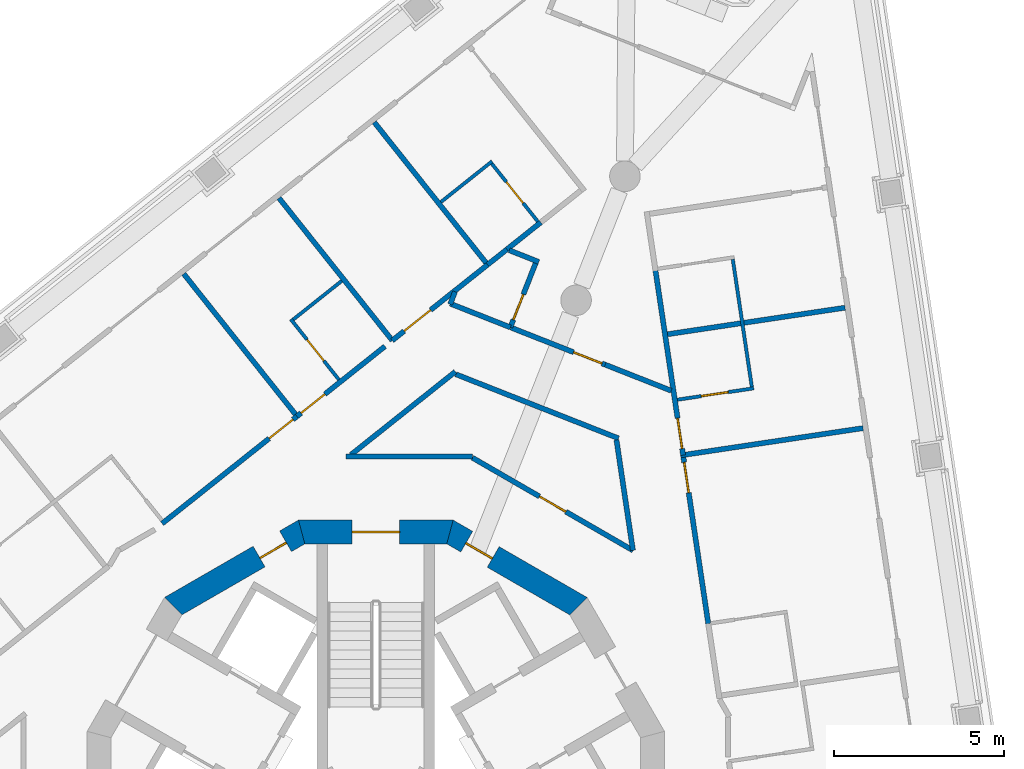
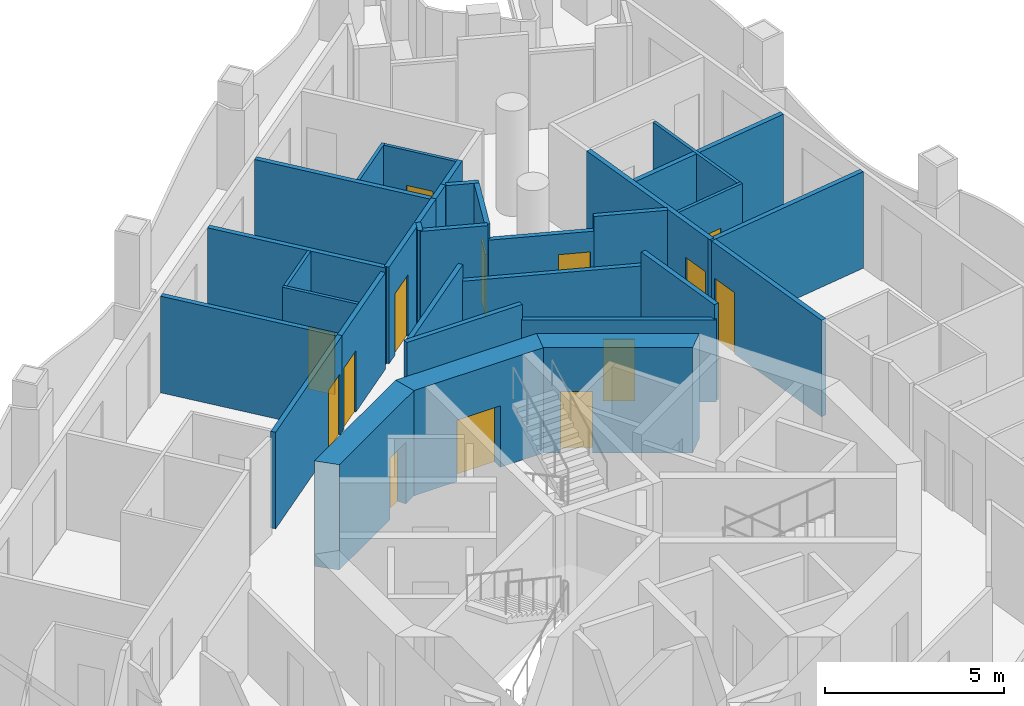
# One storey, part 8 of 16: 32 walls, 14 doors, 14 openings.
"""IFC4 building model written with IfcOpenShell, lengths in metres."""

from ifc_helpers import new_model, si_unit, direction, frame, frame_2d, origin, place, context, subcontext, project, spatial, polyline, rectangle, outline, extrude, material, layer, layer_set, type_object, element, fill, save


model = new_model("IFC4")

# Units and contexts
model_context = context("Model", 3, precision=1e-05, world=origin(), true_north=direction((0.0, 1.0)))
body_context = subcontext(model_context, "Body", "Model", "MODEL_VIEW")
ifc_project = project(units=[si_unit("LENGTHUNIT", "METRE"), si_unit("AREAUNIT", "SQUARE_METRE"), si_unit("VOLUMEUNIT", "CUBIC_METRE"), si_unit("PLANEANGLEUNIT", "RADIAN"), si_unit("MASSUNIT", "GRAM", prefix="KILO")], contexts=[model_context])

# Site, building, storey
site_placement = place(None, origin())
site = spatial("IfcSite", under=ifc_project, at=site_placement, CompositionType="ELEMENT")
building_placement = place(site_placement, origin())
building = spatial("IfcBuilding", under=site, at=building_placement, Name="Trine Commons Tower", CompositionType="ELEMENT")
storey_placement = place(building_placement, frame((0.0, 0.0, 223.199951171875)))
storey = spatial("IfcBuildingStorey", under=building, at=storey_placement, Name="L58", CompositionType="ELEMENT", Elevation=223.199951171875)

# Wall, opening, door
ifc_material_1 = material(Name="Concrete C60/75", Category="concrete")
ifc_layer_1 = layer(ifc_material_1, 0.699951171875)
ifc_layer_set_1 = layer_set([ifc_layer_1], Name="Concrete C60/75")
wall_type_1 = type_object("IfcWallType", Name="RC shear wall 700 mm, C60/75", PredefinedType="SHEAR", material=ifc_layer_set_1)
wall_1_placement = place(storey_placement, frame((86.047607421875, 68.41943359375, 0.0), z_axis=(0.0, 0.0, 1.0), x_axis=(-0.866034756103, 0.499983800959, 0.0)))
wall_1 = element("IfcWall", 1, at=wall_1_placement, inside=storey, type_object=wall_type_1, Name="Core wall CWF-03 L58", PredefinedType="SHEAR", context=body_context, shape_type="SweptSolid", body=[
    extrude(outline(polyline([(0.0, -0.35009765625), (4.55517578125, -0.35009765625), (4.36767578125, 0.35009765625), (0.1875, 0.35009765625), (0.0, -0.35009765625)])), origin(), (0.0, 0.0, 1.0), 3.60009765625),
])
opening_1_placement = place(wall_1_placement, frame((2.990966796875, 0.0, 0.0)))
opening_1 = element("IfcOpeningElement", 2, at=opening_1_placement, cuts=wall_1, Name="Opening K16.12", PredefinedType="OPENING", context=body_context, shape_type="SweptSolid", body=[
    extrude(rectangle(XDim=0.89990234375, YDim=2.10009765625, at=frame_2d((0.449951171875, 1.050048828125))), frame((0.0, 0.35986328125, 0.0), z_axis=(0.0, -1.0, 0.0), x_axis=(1.0, 0.0, 0.0)), (0.0, 0.0, 1.0), 0.719970703125),
])
ifc_material_2 = material(Name="Steel door leaf, fire-rated", Category="steel")
door_type_1 = type_object("IfcDoorType", Name="Core room door, single leaf 900 x 2100, FD30S", OperationType="SINGLE_SWING_LEFT", PredefinedType="DOOR", material=ifc_material_2)
door_1_placement = place(opening_1_placement, origin())
door_1 = element("IfcDoor", 3, at=door_1_placement, inside=storey, type_object=door_type_1, Name="Door to Core WC L58", OperationType="SINGLE_SWING_RIGHT", OverallHeight=2.10009765625, OverallWidth=0.89990234375, PredefinedType="DOOR", context=body_context, shape_type="SweptSolid", body=[
    extrude(rectangle(XDim=0.89990234375, YDim=2.10009765625, at=frame_2d((0.449951171875, 1.050048828125))), frame((0.0, 0.0751953125, 0.0), z_axis=(0.0, -1.0, 0.0), x_axis=(1.0, 0.0, 0.0)), (0.0, 0.0, 1.0), 0.050048828125),
])
fill(opening_1, door_1)

wall_2_placement = place(storey_placement, frame((82.277587890625, 70.650146484375, 0.0), z_axis=(0.0, 0.0, 1.0), x_axis=(-1.0, 0.0, 0.0)))
wall_2 = element("IfcWall", 4, at=wall_2_placement, inside=storey, type_object=wall_type_1, Name="Core wall CWF-04 L58", PredefinedType="SHEAR", context=body_context, shape_type="SweptSolid", body=[
    extrude(outline(polyline([(0.0, -0.35009765625), (4.55517578125, -0.35009765625), (4.36767578125, 0.35009765625), (0.1875, 0.35009765625), (0.0, -0.35009765625)])), origin(), (0.0, 0.0, 1.0), 3.60009765625),
])
opening_2_placement = place(wall_2_placement, frame((1.57763671875, 0.0, 0.0)))
opening_2 = element("IfcOpeningElement", 5, at=opening_2_placement, cuts=wall_2, Name="Opening K16.01", PredefinedType="OPENING", context=body_context, shape_type="SweptSolid", body=[
    extrude(rectangle(XDim=1.39990234375, YDim=2.10009765625, at=frame_2d((0.699951171875, 1.050048828125))), frame((0.0, 0.35986328125, 0.0), z_axis=(0.0, -1.0, 0.0), x_axis=(1.0, 0.0, 0.0)), (0.0, 0.0, 1.0), 0.719970703125),
])
ifc_material_3 = material(Name="Steel door leaves, fire-rated", Category="steel")
door_type_2 = type_object("IfcDoorType", Name="Stair door, double leaf 1400 x 2100, FD90", OperationType="DOUBLE_DOOR_SINGLE_SWING", PredefinedType="DOOR", material=ifc_material_3)
door_2_placement = place(opening_2_placement, origin())
door_2 = element("IfcDoor", 6, at=door_2_placement, inside=storey, type_object=door_type_2, Name="Stair door to Exit stair ST1C L58", OperationType="DOUBLE_DOOR_SINGLE_SWING", OverallHeight=2.10009765625, OverallWidth=1.39990234375, PredefinedType="DOOR", context=body_context, shape_type="SweptSolid", body=[
    extrude(rectangle(XDim=1.39990234375, YDim=2.10009765625, at=frame_2d((0.699951171875, 1.050048828125))), frame((0.0, 0.02490234375, 0.0), z_axis=(0.0, -1.0, 0.0), x_axis=(1.0, 0.0, 0.0)), (0.0, 0.0, 1.0), 0.050048828125),
])
fill(opening_2, door_2)

wall_3_placement = place(storey_placement, frame((77.8974609375, 70.697021484375, 0.0), z_axis=(0.0, 0.0, 1.0), x_axis=(-0.866034756103, -0.499983800959, 0.0)))
wall_3 = element("IfcWall", 7, at=wall_3_placement, inside=storey, type_object=wall_type_1, Name="Core wall CWF-05 L58", PredefinedType="SHEAR", context=body_context, shape_type="SweptSolid", body=[
    extrude(outline(polyline([(0.0, -0.35009765625), (4.55517578125, -0.35009765625), (4.36767578125, 0.35009765625), (0.1875, 0.35009765625), (0.0, -0.35009765625)])), origin(), (0.0, 0.0, 1.0), 3.60009765625),
])
opening_3_placement = place(wall_3_placement, frame((0.641845703125, 0.0, 0.0)))
opening_3 = element("IfcOpeningElement", 8, at=opening_3_placement, cuts=wall_3, Name="Opening K16.13", PredefinedType="OPENING", context=body_context, shape_type="SweptSolid", body=[
    extrude(rectangle(XDim=0.89990234375, YDim=2.10009765625, at=frame_2d((0.449951171875, 1.050048828125))), frame((0.0, 0.35986328125, 0.0), z_axis=(0.0, -1.0, 0.0), x_axis=(1.0, 0.0, 0.0)), (0.0, 0.0, 1.0), 0.719970703125),
])
door_3_placement = place(opening_3_placement, origin())
door_3 = element("IfcDoor", 9, at=door_3_placement, inside=storey, type_object=door_type_1, Name="Door to Accessible WC L58", OperationType="SINGLE_SWING_LEFT", OverallHeight=2.10009765625, OverallWidth=0.89990234375, PredefinedType="DOOR", context=body_context, shape_type="SweptSolid", body=[
    extrude(rectangle(XDim=0.89990234375, YDim=2.10009765625, at=frame_2d((0.449951171875, 1.050048828125))), frame((0.0, 0.0751953125, 0.0), z_axis=(0.0, -1.0, 0.0), x_axis=(1.0, 0.0, 0.0)), (0.0, 0.0, 1.0), 0.050048828125),
])
fill(opening_3, door_3)

ifc_material_4 = material(Name="Gypsum plasterboard on steel stud", Category="steel")
ifc_layer_2 = layer(ifc_material_4, 0.14990234375)
ifc_layer_set_2 = layer_set([ifc_layer_2], Name="Gypsum plasterboard on steel stud")
wall_type_2 = type_object("IfcWallType", Name="Unit and corridor wall 150 mm, EI 60", PredefinedType="PARTITIONING", material=ifc_layer_set_2)
wall_4_placement = place(storey_placement, frame((73.706787109375, 70.89892578125, 0.0), z_axis=(0.0, 0.0, 1.0), x_axis=(0.782685143932, 0.622417838327, 0.0)))
wall_4 = element("IfcWall", 10, at=wall_4_placement, inside=storey, type_object=wall_type_2, Name="Partition 036", PredefinedType="PARTITIONING", context=body_context, shape_type="SweptSolid", body=[
    extrude(rectangle(XDim=5.078857421875, YDim=0.14990234375, at=frame_2d((2.53955078125, 0.0))), origin(), (0.0, 0.0, 1.0), 3.300048828125),
])
opening_4_placement = place(wall_4_placement, frame((4.025146484375, 0.0, 0.0)))
opening_4 = element("IfcOpeningElement", 11, at=opening_4_placement, cuts=wall_4, Name="Opening D-6C08", PredefinedType="OPENING", context=body_context, shape_type="SweptSolid", body=[
    extrude(rectangle(XDim=0.89990234375, YDim=2.10009765625, at=frame_2d((0.449951171875, 1.050048828125))), frame((0.0, 0.0849609375, 0.0), z_axis=(0.0, -1.0, 0.0), x_axis=(1.0, 0.0, 0.0)), (0.0, 0.0, 1.0), 0.169921875),
])
ifc_material_5 = material(Name="Timber fire door set", Category="wood")
door_type_3 = type_object("IfcDoorType", Name="Bedroom door 900 x 2100, FD30S", OperationType="NOTDEFINED", PredefinedType="DOOR", material=ifc_material_5)
door_4_placement = place(opening_4_placement, origin())
door_4 = element("IfcDoor", 12, at=door_4_placement, inside=storey, type_object=door_type_3, Name="Door D-6C08", OperationType="SINGLE_SWING_RIGHT", OverallHeight=2.10009765625, OverallWidth=0.89990234375, PredefinedType="DOOR", context=body_context, shape_type="SweptSolid", body=[
    extrude(rectangle(XDim=0.89990234375, YDim=2.10009765625, at=frame_2d((0.449951171875, 1.050048828125))), frame((0.0, 0.02490234375, 0.0), z_axis=(0.0, -1.0, 0.0), x_axis=(1.0, 0.0, 0.0)), (0.0, 0.0, 1.0), 0.050048828125),
])
fill(opening_4, door_4)

# Walls
wall_5_placement = place(storey_placement, frame((74.343017578125, 78.252685546875, 0.0), z_axis=(0.0, 0.0, 1.0), x_axis=(0.622444463897, -0.782663969634, 0.0)))
element("IfcWall", 13, at=wall_5_placement, inside=storey, type_object=wall_type_2, Name="Partition 037", PredefinedType="PARTITIONING", context=body_context, shape_type="SweptSolid", body=[
    extrude(rectangle(XDim=5.284423828125, YDim=0.14990234375, at=frame_2d((2.64208984375, 0.0))), origin(), (0.0, 0.0, 1.0), 3.300048828125),
])
wall_6_placement = place(storey_placement, frame((77.14892578125, 80.485595703125, 0.0), z_axis=(0.0, 0.0, 1.0), x_axis=(0.622587598128, -0.782550115109, 0.0)))
element("IfcWall", 14, at=wall_6_placement, inside=storey, type_object=wall_type_2, Name="Partition 044", PredefinedType="PARTITIONING", context=body_context, shape_type="SweptSolid", body=[
    extrude(rectangle(XDim=5.360107421875, YDim=0.14990234375, at=frame_2d((2.68017578125, 0.0))), origin(), (0.0, 0.0, 1.0), 3.300048828125),
])

# Wall, opening, door
wall_7_placement = place(storey_placement, frame((77.676025390625, 74.055908203125, 0.0), z_axis=(0.0, 0.0, 1.0), x_axis=(0.782691617443, 0.622409697855, 0.0)))
wall_7 = element("IfcWall", 15, at=wall_7_placement, inside=storey, type_object=wall_type_2, Name="Partition 048", PredefinedType="PARTITIONING", context=body_context, shape_type="SweptSolid", body=[
    extrude(rectangle(XDim=3.31298828125, YDim=0.14990234375, at=frame_2d((1.656494140625, 0.0))), origin(), (0.0, 0.0, 1.0), 3.300048828125),
])
opening_5_placement = place(wall_7_placement, frame((0.153564453125, 0.0, 0.0)))
opening_5 = element("IfcOpeningElement", 16, at=opening_5_placement, cuts=wall_7, Name="Opening D-6C09", PredefinedType="OPENING", context=body_context, shape_type="SweptSolid", body=[
    extrude(rectangle(XDim=0.89990234375, YDim=2.10009765625, at=frame_2d((0.449951171875, 1.050048828125))), frame((0.0, 0.0849609375, 0.0), z_axis=(0.0, -1.0, 0.0), x_axis=(1.0, 0.0, 0.0)), (0.0, 0.0, 1.0), 0.169921875),
])
door_5_placement = place(opening_5_placement, origin())
door_5 = element("IfcDoor", 17, at=door_5_placement, inside=storey, type_object=door_type_3, Name="Door D-6C09", OperationType="SINGLE_SWING_LEFT", OverallHeight=2.10009765625, OverallWidth=0.89990234375, PredefinedType="DOOR", context=body_context, shape_type="SweptSolid", body=[
    extrude(rectangle(XDim=0.89990234375, YDim=2.10009765625, at=frame_2d((0.449951171875, 1.050048828125))), frame((0.0, 0.02490234375, 0.0), z_axis=(0.0, -1.0, 0.0), x_axis=(1.0, 0.0, 0.0)), (0.0, 0.0, 1.0), 0.050048828125),
])
fill(opening_5, door_5)

# Walls
wall_8_placement = place(storey_placement, frame((79.125, 72.875, 0.0), z_axis=(0.0, 0.0, 1.0), x_axis=(1.0, 0.0, 0.0)))
element("IfcWall", 18, at=wall_8_placement, inside=storey, type_object=wall_type_2, Name="Partition 050", PredefinedType="PARTITIONING", context=body_context, shape_type="SweptSolid", body=[
    extrude(rectangle(XDim=3.72998046875, YDim=0.14990234375, at=frame_2d((1.864990234375, 0.0))), origin(), (0.0, 0.0, 1.0), 3.300048828125),
])
wall_9_placement = place(storey_placement, frame((79.2626953125, 72.921630859375, 0.0), z_axis=(0.0, 0.0, 1.0), x_axis=(0.782518607784, 0.622627198629, 0.0)))
element("IfcWall", 19, at=wall_9_placement, inside=storey, type_object=wall_type_2, Name="Partition 051", PredefinedType="PARTITIONING", context=body_context, shape_type="SweptSolid", body=[
    extrude(rectangle(XDim=3.934814453125, YDim=0.14990234375, at=frame_2d((1.96728515625, 0.0))), origin(), (0.0, 0.0, 1.0), 3.300048828125),
])
wall_10_placement = place(storey_placement, frame((79.954833984375, 82.7177734375, 0.0), z_axis=(0.0, 0.0, 1.0), x_axis=(0.622585933561, -0.782551439416, 0.0)))
element("IfcWall", 20, at=wall_10_placement, inside=storey, type_object=wall_type_2, Name="Partition 053", PredefinedType="PARTITIONING", context=body_context, shape_type="SweptSolid", body=[
    extrude(rectangle(XDim=5.28515625, YDim=0.14990234375, at=frame_2d((2.642578125, 0.0))), origin(), (0.0, 0.0, 1.0), 3.300048828125),
])

# Wall, opening, door
wall_11_placement = place(storey_placement, frame((80.48291015625, 76.2890625, 0.0), z_axis=(0.0, 0.0, 1.0), x_axis=(0.782683898342, 0.622419404643, 0.0)))
wall_11 = element("IfcWall", 21, at=wall_11_placement, inside=storey, type_object=wall_type_2, Name="Partition 054", PredefinedType="PARTITIONING", context=body_context, shape_type="SweptSolid", body=[
    extrude(rectangle(XDim=3.589111328125, YDim=0.14990234375, at=frame_2d((1.79443359375, 0.0))), origin(), (0.0, 0.0, 1.0), 3.300048828125),
])
opening_6_placement = place(wall_11_placement, frame((0.447265625, 0.0, 0.0)))
opening_6 = element("IfcOpeningElement", 22, at=opening_6_placement, cuts=wall_11, Name="Opening D-6C10", PredefinedType="OPENING", context=body_context, shape_type="SweptSolid", body=[
    extrude(rectangle(XDim=1.0, YDim=2.10009765625, at=frame_2d((0.5, 1.050048828125))), frame((0.0, 0.0849609375, 0.0), z_axis=(0.0, -1.0, 0.0), x_axis=(1.0, 0.0, 0.0)), (0.0, 0.0, 1.0), 0.169921875),
])
ifc_material_6 = material(Name="Painted timber", Category="wood")
door_type_4 = type_object("IfcDoorType", Name="Amenity room door 1000 x 2100, NOT RATED", OperationType="NOTDEFINED", PredefinedType="DOOR", material=ifc_material_6)
door_6_placement = place(opening_6_placement, origin())
door_6 = element("IfcDoor", 23, at=door_6_placement, inside=storey, type_object=door_type_4, Name="Door D-6C10", OperationType="SINGLE_SWING_LEFT", OverallHeight=2.10009765625, OverallWidth=1.0, PredefinedType="DOOR", context=body_context, shape_type="SweptSolid", body=[
    extrude(rectangle(XDim=1.0, YDim=2.10009765625, at=frame_2d((0.5, 1.050048828125))), frame((0.0, 0.02490234375, 0.0), z_axis=(0.0, -1.0, 0.0), x_axis=(1.0, 0.0, 0.0)), (0.0, 0.0, 1.0), 0.050048828125),
])
fill(opening_6, door_6)

# Walls
wall_12_placement = place(storey_placement, frame((82.19189453125, 77.3759765625, 0.0), z_axis=(0.0, 0.0, 1.0), x_axis=(0.93022308185, -0.366994574882, 0.0)))
element("IfcWall", 24, at=wall_12_placement, inside=storey, type_object=wall_type_2, Name="Partition 057", PredefinedType="PARTITIONING", context=body_context, shape_type="SweptSolid", body=[
    extrude(rectangle(XDim=1.9072265625, YDim=0.14990234375, at=frame_2d((0.95361328125, 0.0))), origin(), (0.0, 0.0, 1.0), 3.300048828125),
])
wall_13_placement = place(storey_placement, frame((82.188232421875, 77.3544921875, 0.0), z_axis=(0.0, 0.0, 1.0), x_axis=(0.365066779339, 0.930981335271, 0.0)))
element("IfcWall", 25, at=wall_13_placement, inside=storey, type_object=wall_type_2, Name="Partition 058", PredefinedType="PARTITIONING", context=body_context, shape_type="SweptSolid", body=[
    extrude(rectangle(XDim=0.39990234375, YDim=0.14990234375, at=frame_2d((0.199951171875, 0.0))), origin(), (0.0, 0.0, 1.0), 3.300048828125),
])
wall_14_placement = place(storey_placement, frame((82.352783203125, 75.297607421875, 0.0), z_axis=(0.0, 0.0, 1.0), x_axis=(0.930366278921, -0.366631404883, 0.0)))
element("IfcWall", 26, at=wall_14_placement, inside=storey, type_object=wall_type_2, Name="Partition 059", PredefinedType="PARTITIONING", context=body_context, shape_type="SweptSolid", body=[
    extrude(rectangle(XDim=5.15283203125, YDim=0.14990234375, at=frame_2d((2.576416015625, 0.0))), origin(), (0.0, 0.0, 1.0), 2.800048828125),
])

# Wall, opening, door
wall_15_placement = place(storey_placement, frame((82.844970703125, 72.83740234375, 0.0), z_axis=(0.0, 0.0, 1.0), x_axis=(0.865990633405, -0.500060219228, 0.0)))
wall_15 = element("IfcWall", 27, at=wall_15_placement, inside=storey, type_object=wall_type_2, Name="Partition 062", PredefinedType="PARTITIONING", context=body_context, shape_type="SweptSolid", body=[
    extrude(rectangle(XDim=5.464111328125, YDim=0.14990234375, at=frame_2d((2.73193359375, 0.0))), origin(), (0.0, 0.0, 1.0), 2.800048828125),
])
opening_7_placement = place(wall_15_placement, frame((2.280517578125, 0.0, 0.0)))
opening_7 = element("IfcOpeningElement", 28, at=opening_7_placement, cuts=wall_15, Name="Opening D-6C27", PredefinedType="OPENING", context=body_context, shape_type="SweptSolid", body=[
    extrude(rectangle(XDim=0.89990234375, YDim=2.10009765625, at=frame_2d((0.449951171875, 1.050048828125))), frame((0.0, 0.0849609375, 0.0), z_axis=(0.0, -1.0, 0.0), x_axis=(1.0, 0.0, 0.0)), (0.0, 0.0, 1.0), 0.169921875),
])
door_type_5 = type_object("IfcDoorType", Name="Service door 900 x 2100, FD30S", OperationType="NOTDEFINED", PredefinedType="DOOR", material=ifc_material_5)
door_7_placement = place(opening_7_placement, origin())
door_7 = element("IfcDoor", 29, at=door_7_placement, inside=storey, type_object=door_type_5, Name="Door D-6C27", OperationType="SINGLE_SWING_LEFT", OverallHeight=2.10009765625, OverallWidth=0.89990234375, PredefinedType="DOOR", context=body_context, shape_type="SweptSolid", body=[
    extrude(rectangle(XDim=0.89990234375, YDim=2.10009765625, at=frame_2d((0.449951171875, 1.050048828125))), frame((0.0, 0.02490234375, 0.0), z_axis=(0.0, -1.0, 0.0), x_axis=(1.0, 0.0, 0.0)), (0.0, 0.0, 1.0), 0.050048828125),
])
fill(opening_7, door_7)

# Walls
wall_16_placement = place(storey_placement, frame((83.2919921875, 78.52294921875, 0.0), z_axis=(0.0, 0.0, 1.0), x_axis=(0.782961678727, 0.622069939512, 0.0)))
element("IfcWall", 30, at=wall_16_placement, inside=storey, type_object=wall_type_2, Name="Partition 065", PredefinedType="PARTITIONING", context=body_context, shape_type="SweptSolid", body=[
    extrude(rectangle(XDim=0.726806640625, YDim=0.14990234375, at=frame_2d((0.36328125, 0.0))), origin(), (0.0, 0.0, 1.0), 3.300048828125),
])
wall_17_placement = place(storey_placement, frame((83.930908203125, 78.947509765625, 0.0), z_axis=(0.0, 0.0, 1.0), x_axis=(0.930564496223, -0.366128008175, 0.0)))
element("IfcWall", 31, at=wall_17_placement, inside=storey, type_object=wall_type_2, Name="Partition 067", PredefinedType="PARTITIONING", context=body_context, shape_type="SweptSolid", body=[
    extrude(rectangle(XDim=0.936767578125, YDim=0.14990234375, at=frame_2d((0.46826171875, 0.0))), origin(), (0.0, 0.0, 1.0), 3.300048828125),
])
wall_18_placement = place(storey_placement, frame((83.861083984375, 78.97509765625, 0.0), z_axis=(0.0, 0.0, 1.0), x_axis=(0.782507881156, 0.622640679629, 0.0)))
element("IfcWall", 32, at=wall_18_placement, inside=storey, type_object=wall_type_2, Name="Partition 068", PredefinedType="PARTITIONING", context=body_context, shape_type="SweptSolid", body=[
    extrude(rectangle(XDim=1.276611328125, YDim=0.14990234375, at=frame_2d((0.63818359375, 0.0))), origin(), (0.0, 0.0, 1.0), 3.300048828125),
])

# Wall, opening, door
wall_19_placement = place(storey_placement, frame((83.962890625, 76.677978515625, 0.0), z_axis=(0.0, 0.0, 1.0), x_axis=(0.366688940458, 0.9303436037, 0.0)))
wall_19 = element("IfcWall", 33, at=wall_19_placement, inside=storey, type_object=wall_type_2, Name="Partition 069", PredefinedType="PARTITIONING", context=body_context, shape_type="SweptSolid", body=[
    extrude(rectangle(XDim=2.025390625, YDim=0.14990234375, at=frame_2d((1.0126953125, 0.0))), origin(), (0.0, 0.0, 1.0), 3.300048828125),
])
opening_8_placement = place(wall_19_placement, frame((0.24267578125, 0.0, 0.0)))
opening_8 = element("IfcOpeningElement", 34, at=opening_8_placement, cuts=wall_19, Name="Opening D-6C04", PredefinedType="OPENING", context=body_context, shape_type="SweptSolid", body=[
    extrude(rectangle(XDim=0.800048828125, YDim=2.10009765625, at=frame_2d((0.39990234375, 1.050048828125))), frame((0.0, 0.0849609375, 0.0), z_axis=(0.0, -1.0, 0.0), x_axis=(1.0, 0.0, 0.0)), (0.0, 0.0, 1.0), 0.169921875),
])
door_type_6 = type_object("IfcDoorType", Name="Toilet door 800 x 2100, NOT RATED", OperationType="NOTDEFINED", PredefinedType="DOOR", material=ifc_material_6)
door_8_placement = place(opening_8_placement, origin())
door_8 = element("IfcDoor", 35, at=door_8_placement, inside=storey, type_object=door_type_6, Name="Door D-6C04", OperationType="SINGLE_SWING_LEFT", OverallHeight=2.10009765625, OverallWidth=0.800048828125, PredefinedType="DOOR", context=body_context, shape_type="SweptSolid", body=[
    extrude(rectangle(XDim=0.800048828125, YDim=2.10009765625, at=frame_2d((0.39990234375, 1.050048828125))), frame((0.0, 0.02490234375, 0.0), z_axis=(0.0, -1.0, 0.0), x_axis=(1.0, 0.0, 0.0)), (0.0, 0.0, 1.0), 0.050048828125),
])
fill(opening_8, door_8)

wall_20_placement = place(storey_placement, frame((83.97705078125, 76.672119140625, 0.0), z_axis=(0.0, 0.0, 1.0), x_axis=(0.930513911047, -0.36625655127, 0.0)))
wall_20 = element("IfcWall", 36, at=wall_20_placement, inside=storey, type_object=wall_type_2, Name="Partition 070", PredefinedType="PARTITIONING", context=body_context, shape_type="SweptSolid", body=[
    extrude(rectangle(XDim=2.987548828125, YDim=0.14990234375, at=frame_2d((1.49365234375, 0.0))), origin(), (0.0, 0.0, 1.0), 2.800048828125),
])
opening_9_placement = place(wall_20_placement, frame((1.987548828125, 0.0, 0.0)))
opening_9 = element("IfcOpeningElement", 37, at=opening_9_placement, cuts=wall_20, Name="Opening D-6C01", PredefinedType="OPENING", context=body_context, shape_type="SweptSolid", body=[
    extrude(rectangle(XDim=0.89990234375, YDim=2.10009765625, at=frame_2d((0.449951171875, 1.050048828125))), frame((0.0, 0.0849609375, 0.0), z_axis=(0.0, -1.0, 0.0), x_axis=(1.0, 0.0, 0.0)), (0.0, 0.0, 1.0), 0.169921875),
])
door_type_7 = type_object("IfcDoorType", Name="Cluster entrance door 900 x 2100, FD30S", OperationType="NOTDEFINED", PredefinedType="DOOR", material=ifc_material_5)
door_9_placement = place(opening_9_placement, origin())
door_9 = element("IfcDoor", 38, at=door_9_placement, inside=storey, type_object=door_type_7, Name="Door D-6C01", OperationType="SINGLE_SWING_RIGHT", OverallHeight=2.10009765625, OverallWidth=0.89990234375, PredefinedType="DOOR", context=body_context, shape_type="SweptSolid", body=[
    extrude(rectangle(XDim=0.89990234375, YDim=2.10009765625, at=frame_2d((0.449951171875, 1.050048828125))), frame((0.0, 0.02490234375, 0.0), z_axis=(0.0, -1.0, 0.0), x_axis=(1.0, 0.0, 0.0)), (0.0, 0.0, 1.0), 0.050048828125),
])
fill(opening_9, door_9)

# Walls
wall_21_placement = place(storey_placement, frame((86.757080078125, 75.577880859375, 0.0), z_axis=(0.0, 0.0, 1.0), x_axis=(0.930326271928, -0.366732910659, 0.0)))
element("IfcWall", 39, at=wall_21_placement, inside=storey, type_object=wall_type_2, Name="Partition 079", PredefinedType="PARTITIONING", context=body_context, shape_type="SweptSolid", body=[
    extrude(rectangle(XDim=2.089599609375, YDim=0.14990234375, at=frame_2d((1.044921875, 0.0))), origin(), (0.0, 0.0, 1.0), 3.300048828125),
])
wall_22_placement = place(storey_placement, frame((87.088134765625, 73.36181640625, 0.0), z_axis=(0.0, 0.0, 1.0), x_axis=(0.147629393442, -0.989042750437, 0.0)))
element("IfcWall", 40, at=wall_22_placement, inside=storey, type_object=wall_type_2, Name="Partition 081", PredefinedType="PARTITIONING", context=body_context, shape_type="SweptSolid", body=[
    extrude(rectangle(XDim=3.291015625, YDim=0.14990234375, at=frame_2d((1.6455078125, 0.0))), origin(), (0.0, 0.0, 1.0), 3.300048828125),
])

# Wall, opening, door
wall_23_placement = place(storey_placement, frame((88.23095703125, 78.39599609375, 0.0), z_axis=(0.0, 0.0, 1.0), x_axis=(0.147922673627, -0.988998929538, 0.0)))
wall_23 = element("IfcWall", 41, at=wall_23_placement, inside=storey, type_object=wall_type_2, Name="Partition 085", PredefinedType="PARTITIONING", context=body_context, shape_type="SweptSolid", body=[
    extrude(rectangle(XDim=5.5439453125, YDim=0.14990234375, at=frame_2d((2.77197265625, 0.0))), origin(), (0.0, 0.0, 1.0), 3.300048828125),
])
opening_10_placement = place(wall_23_placement, frame((4.4462890625, 0.0, 0.0)))
opening_10 = element("IfcOpeningElement", 42, at=opening_10_placement, cuts=wall_23, Name="Opening D-6C13", PredefinedType="OPENING", context=body_context, shape_type="SweptSolid", body=[
    extrude(rectangle(XDim=0.89990234375, YDim=2.10009765625, at=frame_2d((0.449951171875, 1.050048828125))), frame((0.0, 0.0849609375, 0.0), z_axis=(0.0, -1.0, 0.0), x_axis=(1.0, 0.0, 0.0)), (0.0, 0.0, 1.0), 0.169921875),
])
door_10_placement = place(opening_10_placement, origin())
door_10 = element("IfcDoor", 43, at=door_10_placement, inside=storey, type_object=door_type_3, Name="Door D-6C13", OperationType="SINGLE_SWING_RIGHT", OverallHeight=2.10009765625, OverallWidth=0.89990234375, PredefinedType="DOOR", context=body_context, shape_type="SweptSolid", body=[
    extrude(rectangle(XDim=0.89990234375, YDim=2.10009765625, at=frame_2d((0.449951171875, 1.050048828125))), frame((0.0, 0.02490234375, 0.0), z_axis=(0.0, -1.0, 0.0), x_axis=(1.0, 0.0, 0.0)), (0.0, 0.0, 1.0), 0.050048828125),
])
fill(opening_10, door_10)

# Walls
wall_24_placement = place(storey_placement, frame((88.59423828125, 76.47509765625, 0.0), z_axis=(0.0, 0.0, 1.0), x_axis=(0.989020900083, 0.147775705715, 0.0)))
element("IfcWall", 44, at=wall_24_placement, inside=storey, type_object=wall_type_2, Name="Partition 087", PredefinedType="PARTITIONING", context=body_context, shape_type="SweptSolid", body=[
    extrude(rectangle(XDim=5.28515625, YDim=0.14990234375, at=frame_2d((2.642578125, 0.0))), origin(), (0.0, 0.0, 1.0), 3.300048828125),
])
wall_25_placement = place(storey_placement, frame((88.975830078125, 72.906005859375, 0.0), z_axis=(0.0, 0.0, 1.0), x_axis=(0.989026447028, 0.147738576813, 0.0)))
element("IfcWall", 45, at=wall_25_placement, inside=storey, type_object=wall_type_2, Name="Partition 090", PredefinedType="PARTITIONING", context=body_context, shape_type="SweptSolid", body=[
    extrude(rectangle(XDim=5.43505859375, YDim=0.14990234375, at=frame_2d((2.717529296875, 0.0))), origin(), (0.0, 0.0, 1.0), 3.300048828125),
])

# Wall, opening, door
wall_26_placement = place(storey_placement, frame((89.06103515625, 72.8466796875, 0.0), z_axis=(0.0, 0.0, 1.0), x_axis=(0.147716396188, -0.989029760067, 0.0)))
wall_26 = element("IfcWall", 46, at=wall_26_placement, inside=storey, type_object=wall_type_2, Name="Partition 091", PredefinedType="PARTITIONING", context=body_context, shape_type="SweptSolid", body=[
    extrude(rectangle(XDim=4.955078125, YDim=0.14990234375, at=frame_2d((2.4775390625, 0.0))), origin(), (0.0, 0.0, 1.0), 3.300048828125),
])
opening_11_placement = place(wall_26_placement, frame((0.14990234375, 0.0, 0.0)))
opening_11 = element("IfcOpeningElement", 47, at=opening_11_placement, cuts=wall_26, Name="Opening D-6C14", PredefinedType="OPENING", context=body_context, shape_type="SweptSolid", body=[
    extrude(rectangle(XDim=0.89990234375, YDim=2.10009765625, at=frame_2d((0.449951171875, 1.050048828125))), frame((0.0, 0.0849609375, 0.0), z_axis=(0.0, -1.0, 0.0), x_axis=(1.0, 0.0, 0.0)), (0.0, 0.0, 1.0), 0.169921875),
])
door_11_placement = place(opening_11_placement, origin())
door_11 = element("IfcDoor", 48, at=door_11_placement, inside=storey, type_object=door_type_3, Name="Door D-6C14", OperationType="SINGLE_SWING_LEFT", OverallHeight=2.10009765625, OverallWidth=0.89990234375, PredefinedType="DOOR", context=body_context, shape_type="SweptSolid", body=[
    extrude(rectangle(XDim=0.89990234375, YDim=2.10009765625, at=frame_2d((0.449951171875, 1.050048828125))), frame((0.0, 0.02490234375, 0.0), z_axis=(0.0, -1.0, 0.0), x_axis=(1.0, 0.0, 0.0)), (0.0, 0.0, 1.0), 0.050048828125),
])
fill(opening_11, door_11)

ifc_layer_3 = layer(ifc_material_4, 0.10009765625)
ifc_layer_set_3 = layer_set([ifc_layer_3], Name="Gypsum plasterboard on steel stud")
wall_type_3 = type_object("IfcWallType", Name="Unit partition 100 mm, no rating", PredefinedType="PARTITIONING", material=ifc_layer_set_3)
wall_27_placement = place(storey_placement, frame((77.496826171875, 76.916015625, 0.0), z_axis=(0.0, 0.0, 1.0), x_axis=(0.622625135388, -0.78252024944, 0.0)))
wall_27 = element("IfcWall", 49, at=wall_27_placement, inside=storey, type_object=wall_type_3, Name="Partition 046", PredefinedType="PARTITIONING", context=body_context, shape_type="SweptSolid", body=[
    extrude(rectangle(XDim=2.275146484375, YDim=0.10009765625, at=frame_2d((1.1376953125, 0.0))), origin(), (0.0, 0.0, 1.0), 3.300048828125),
])
opening_12_placement = place(wall_27_placement, frame((0.7626953125, 0.0, 0.0)))
opening_12 = element("IfcOpeningElement", 50, at=opening_12_placement, cuts=wall_27, Name="Opening D-6C33", PredefinedType="OPENING", context=body_context, shape_type="SweptSolid", body=[
    extrude(rectangle(XDim=0.800048828125, YDim=2.10009765625, at=frame_2d((0.39990234375, 1.050048828125))), frame((0.0, 0.06005859375, 0.0), z_axis=(0.0, -1.0, 0.0), x_axis=(1.0, 0.0, 0.0)), (0.0, 0.0, 1.0), 0.1201171875),
])
door_type_8 = type_object("IfcDoorType", Name="Internal door 800 x 2100, NOT RATED", OperationType="NOTDEFINED", PredefinedType="DOOR", material=ifc_material_6)
door_12_placement = place(opening_12_placement, frame((0.800048828125, 0.0, 0.0), z_axis=(0.0, 0.0, 1.0), x_axis=(-1.0, 0.0, 0.0)))
door_12 = element("IfcDoor", 51, at=door_12_placement, inside=storey, type_object=door_type_8, Name="Door D-6C33", OperationType="SINGLE_SWING_LEFT", OverallHeight=2.10009765625, OverallWidth=0.800048828125, PredefinedType="DOOR", context=body_context, shape_type="SweptSolid", body=[
    extrude(rectangle(XDim=0.800048828125, YDim=2.10009765625, at=frame_2d((0.39990234375, 1.050048828125))), frame((0.0, 0.02490234375, 0.0), z_axis=(0.0, -1.0, 0.0), x_axis=(1.0, 0.0, 0.0)), (0.0, 0.0, 1.0), 0.050048828125),
])
fill(opening_12, door_12)

# Walls
wall_28_placement = place(storey_placement, frame((77.567138671875, 76.908203125, 0.0), z_axis=(0.0, 0.0, 1.0), x_axis=(0.782627716851, 0.622490045557, 0.0)))
element("IfcWall", 52, at=wall_28_placement, inside=storey, type_object=wall_type_3, Name="Partition 047", PredefinedType="PARTITIONING", context=body_context, shape_type="SweptSolid", body=[
    extrude(rectangle(XDim=1.824951171875, YDim=0.10009765625, at=frame_2d((0.91259765625, 0.0))), origin(), (0.0, 0.0, 1.0), 3.300048828125),
])
wall_29_placement = place(storey_placement, frame((81.918701171875, 80.36962890625, 0.0), z_axis=(0.0, 0.0, 1.0), x_axis=(0.782536451706, 0.622604771706, 0.0)))
element("IfcWall", 53, at=wall_29_placement, inside=storey, type_object=wall_type_3, Name="Partition 056", PredefinedType="PARTITIONING", context=body_context, shape_type="SweptSolid", body=[
    extrude(rectangle(XDim=1.925048828125, YDim=0.10009765625, at=frame_2d((0.96240234375, 0.0))), origin(), (0.0, 0.0, 1.0), 3.300048828125),
])

# Wall, opening, door
wall_30_placement = place(storey_placement, frame((83.4169921875, 81.497802734375, 0.0), z_axis=(0.0, 0.0, 1.0), x_axis=(0.622598555727, -0.782541397248, 0.0)))
wall_30 = element("IfcWall", 54, at=wall_30_placement, inside=storey, type_object=wall_type_3, Name="Partition 066", PredefinedType="PARTITIONING", context=body_context, shape_type="SweptSolid", body=[
    extrude(rectangle(XDim=2.175048828125, YDim=0.10009765625, at=frame_2d((1.08740234375, 0.0))), origin(), (0.0, 0.0, 1.0), 3.300048828125),
])
opening_13_placement = place(wall_30_placement, frame((0.6875, 0.0, 0.0)))
opening_13 = element("IfcOpeningElement", 55, at=opening_13_placement, cuts=wall_30, Name="Opening D-6C34", PredefinedType="OPENING", context=body_context, shape_type="SweptSolid", body=[
    extrude(rectangle(XDim=0.800048828125, YDim=2.10009765625, at=frame_2d((0.39990234375, 1.050048828125))), frame((0.0, 0.06005859375, 0.0), z_axis=(0.0, -1.0, 0.0), x_axis=(1.0, 0.0, 0.0)), (0.0, 0.0, 1.0), 0.1201171875),
])
door_13_placement = place(opening_13_placement, origin())
door_13 = element("IfcDoor", 56, at=door_13_placement, inside=storey, type_object=door_type_8, Name="Door D-6C34", OperationType="SINGLE_SWING_LEFT", OverallHeight=2.10009765625, OverallWidth=0.800048828125, PredefinedType="DOOR", context=body_context, shape_type="SweptSolid", body=[
    extrude(rectangle(XDim=0.800048828125, YDim=2.10009765625, at=frame_2d((0.39990234375, 1.050048828125))), frame((0.0, 0.02490234375, 0.0), z_axis=(0.0, -1.0, 0.0), x_axis=(1.0, 0.0, 0.0)), (0.0, 0.0, 1.0), 0.050048828125),
])
fill(opening_13, door_13)

wall_31_placement = place(storey_placement, frame((88.882080078125, 74.546142578125, 0.0), z_axis=(0.0, 0.0, 1.0), x_axis=(0.989025888794, 0.147742313828, 0.0)))
wall_31 = element("IfcWall", 57, at=wall_31_placement, inside=storey, type_object=wall_type_3, Name="Partition 089", PredefinedType="PARTITIONING", context=body_context, shape_type="SweptSolid", body=[
    extrude(rectangle(XDim=2.275390625, YDim=0.10009765625, at=frame_2d((1.1376953125, 0.0))), origin(), (0.0, 0.0, 1.0), 3.300048828125),
])
opening_14_placement = place(wall_31_placement, frame((0.712646484375, 0.0, 0.0)))
opening_14 = element("IfcOpeningElement", 58, at=opening_14_placement, cuts=wall_31, Name="Opening D-6C36", PredefinedType="OPENING", context=body_context, shape_type="SweptSolid", body=[
    extrude(rectangle(XDim=0.800048828125, YDim=2.10009765625, at=frame_2d((0.39990234375, 1.050048828125))), frame((0.0, 0.06005859375, 0.0), z_axis=(0.0, -1.0, 0.0), x_axis=(1.0, 0.0, 0.0)), (0.0, 0.0, 1.0), 0.1201171875),
])
door_14_placement = place(opening_14_placement, frame((0.800048828125, 0.0, 0.0), z_axis=(0.0, 0.0, 1.0), x_axis=(-1.0, 0.0, 0.0)))
door_14 = element("IfcDoor", 59, at=door_14_placement, inside=storey, type_object=door_type_8, Name="Door D-6C36", OperationType="SINGLE_SWING_RIGHT", OverallHeight=2.10009765625, OverallWidth=0.800048828125, PredefinedType="DOOR", context=body_context, shape_type="SweptSolid", body=[
    extrude(rectangle(XDim=0.800048828125, YDim=2.10009765625, at=frame_2d((0.39990234375, 1.050048828125))), frame((0.0, 0.02490234375, 0.0), z_axis=(0.0, -1.0, 0.0), x_axis=(1.0, 0.0, 0.0)), (0.0, 0.0, 1.0), 0.050048828125),
])
fill(opening_14, door_14)

# Wall
wall_32_placement = place(storey_placement, frame((90.514404296875, 78.6826171875, 0.0), z_axis=(0.0, 0.0, 1.0), x_axis=(0.147715184464, -0.989029941043, 0.0)))
element("IfcWall", 60, at=wall_32_placement, inside=storey, type_object=wall_type_3, Name="Partition 103", PredefinedType="PARTITIONING", context=body_context, shape_type="SweptSolid", body=[
    extrude(rectangle(XDim=3.7998046875, YDim=0.10009765625, at=frame_2d((1.89990234375, 0.0))), origin(), (0.0, 0.0, 1.0), 3.300048828125),
])

save(model, "model.ifc")
